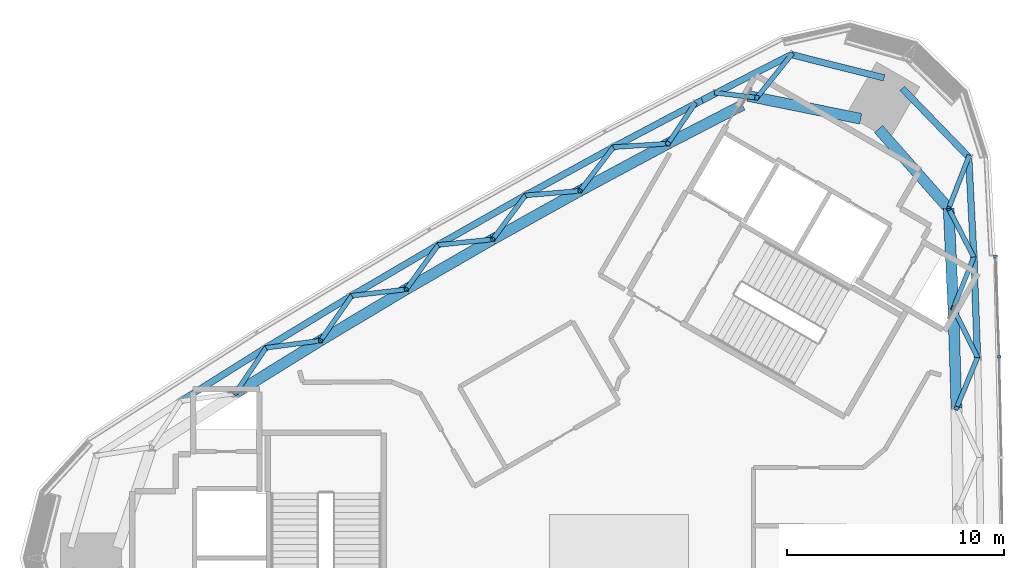
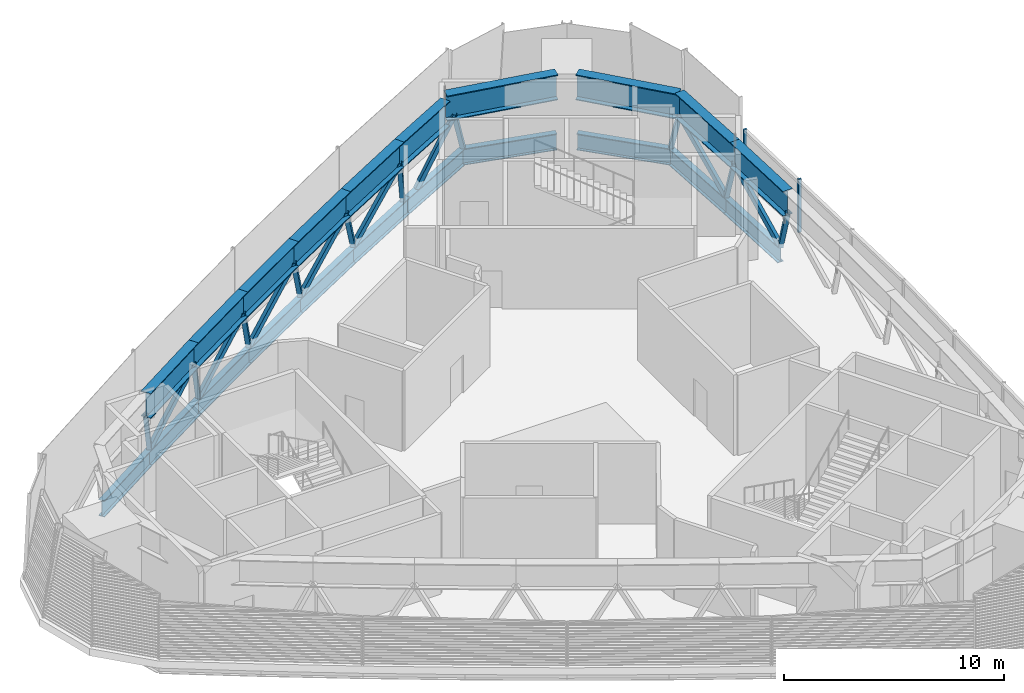
# One storey, part 3 of 18: 21 beams, 20 members, 1 element without a shape of its own.
"""IFC4 building model written with IfcOpenShell, lengths in metres."""

from ifc_helpers import new_model, si_unit, direction, frame, origin, origin_2d, place, context, subcontext, project, spatial, rectangle, hollow_rectangle, i_section, extrude, material, material_profile, profile_set, type_object, element, aggregate, save


model = new_model("IFC4")

# Units and contexts
model_context = context("Model", 3, precision=1e-05, world=origin(), true_north=direction((0.0, 1.0)))
body_context = subcontext(model_context, "Body", "Model", "MODEL_VIEW")
ifc_project = project(units=[si_unit("LENGTHUNIT", "METRE"), si_unit("AREAUNIT", "SQUARE_METRE"), si_unit("VOLUMEUNIT", "CUBIC_METRE"), si_unit("PLANEANGLEUNIT", "RADIAN"), si_unit("MASSUNIT", "GRAM", prefix="KILO")], contexts=[model_context])

# Site, building, storey
site_placement = place(None, origin())
site = spatial("IfcSite", under=ifc_project, at=site_placement, CompositionType="ELEMENT")
building_placement = place(site_placement, origin())
building = spatial("IfcBuilding", under=site, at=building_placement, Name="Tamra Quay Hotel Tower", CompositionType="ELEMENT")
storey_placement = place(building_placement, frame((0.0, 0.0, 257.39990234375)))
storey = spatial("IfcBuildingStorey", under=building, at=storey_placement, Name="L65", CompositionType="ELEMENT", Elevation=257.39990234375)

# Members
ifc_material_1 = material(Name="Structural steel IS 2062 E350", Category="steel")
ifc_material_profile_1 = material_profile(ifc_material_1, hollow_rectangle(XDim=0.219970703125, YDim=0.219970703125, WallThickness=0.010009765625, at=origin_2d()), Name="SHS 220x220x10")
ifc_profile_set_1 = profile_set([ifc_material_profile_1], Name="Structural steel IS 2062 E350")
member_type_1 = type_object("IfcMemberType", Name="BELT BRACE SHS 220x220x10 Z5", PredefinedType="BRACE", material=ifc_profile_set_1)
member_1_placement = place(storey_placement, frame((16.533203125, 9.24951171875, -0.39990234375), z_axis=(-0.22062481795, -0.531485075519, 0.817831464426), x_axis=(0.923586512352, -0.383390080991, 0.0)))
element("IfcMember", 1, at=member_1_placement, inside=storey, type_object=member_type_1, Name="BR-L65-009", PredefinedType="BRACE", context=body_context, shape_type="SweptSolid", body=[
    extrude(hollow_rectangle(XDim=0.219970703125, YDim=0.219970703125, WallThickness=0.010009765625, at=origin_2d()), origin(), (0.0, 0.0, 1.0), 4.402099609375),
])
member_2_placement = place(storey_placement, frame((16.533203125, 9.24951171875, -0.39990234375), z_axis=(-0.253557774074, 0.515221402104, 0.818691249508), x_axis=(-0.897232557129, -0.44155830694, 0.0)))
element("IfcMember", 2, at=member_2_placement, inside=storey, type_object=member_type_1, Name="BR-L65-010", PredefinedType="BRACE", context=body_context, shape_type="SweptSolid", body=[
    extrude(hollow_rectangle(XDim=0.219970703125, YDim=0.219970703125, WallThickness=0.010009765625, at=origin_2d()), origin(), (0.0, 0.0, 1.0), 4.3974609375),
])
member_3_placement = place(storey_placement, frame((16.36328125, 13.87158203125, -0.39990234375), z_axis=(-0.214529721213, -0.534911100271, 0.817219134335), x_axis=(0.928138087298, -0.372236068787, 0.0)))
element("IfcMember", 3, at=member_3_placement, inside=storey, type_object=member_type_1, Name="BR-L65-011", PredefinedType="BRACE", context=body_context, shape_type="SweptSolid", body=[
    extrude(hollow_rectangle(XDim=0.219970703125, YDim=0.219970703125, WallThickness=0.010009765625, at=origin_2d()), origin(), (0.0, 0.0, 1.0), 4.4052734375),
])
member_4_placement = place(storey_placement, frame((16.36328125, 13.87158203125, -0.39990234375), z_axis=(-0.263906411407, 0.510441065345, 0.818415129887), x_axis=(-0.88829917436, -0.459265257593, 0.0)))
element("IfcMember", 4, at=member_4_placement, inside=storey, type_object=member_type_1, Name="BR-L65-012", PredefinedType="BRACE", context=body_context, shape_type="SweptSolid", body=[
    extrude(hollow_rectangle(XDim=0.219970703125, YDim=0.219970703125, WallThickness=0.010009765625, at=origin_2d()), origin(), (0.0, 0.0, 1.0), 4.39892578125),
])
for number, where, z_axis, x_axis, name in (
    (5, (16.12548828125, 18.490966796875, -0.39990234375), (-0.209315007637, -0.538317676346, 0.816334065755), (0.93202265789, -0.362400007146, 0.0), "BR-L65-013"),
    (6, (7.950927734375, 23.210693359375, -0.39990234375), (-0.361547192842, -0.450453147781, 0.816318313528), (0.779867309755, -0.625944869118, 0.0), "BR-L65-014"),
):
    element("IfcMember", number, at=place(storey_placement, frame(where, z_axis=z_axis, x_axis=x_axis)), inside=storey, type_object=member_type_1, Name=name, PredefinedType="BRACE", context=body_context, shape_type="SweptSolid", body=[
        extrude(hollow_rectangle(XDim=0.219970703125, YDim=0.219970703125, WallThickness=0.010009765625, at=origin_2d()), origin(), (0.0, 0.0, 1.0), 4.41015625),
    ])
member_5_placement = place(storey_placement, frame((-0.25634765625, 18.943115234375, -0.39990234375), z_axis=(0.572966705961, 0.037975700279, 0.81869835718), x_axis=(-0.066133968493, 0.997810752704, 0.0)))
element("IfcMember", 7, at=member_5_placement, inside=storey, type_object=member_type_1, Name="BR-L65-015", PredefinedType="BRACE", context=body_context, shape_type="SweptSolid", body=[
    extrude(hollow_rectangle(XDim=0.219970703125, YDim=0.219970703125, WallThickness=0.010009765625, at=origin_2d()), origin(), (0.0, 0.0, 1.0), 4.3974609375),
])
member_6_placement = place(storey_placement, frame((-0.25634765625, 18.943115234375, -0.39990234375), z_axis=(-0.349957259333, -0.456830102239, 0.817824048514), x_axis=(0.793840529378, -0.608125985234, 0.0)))
element("IfcMember", 8, at=member_6_placement, inside=storey, type_object=member_type_1, Name="BR-L65-016", PredefinedType="BRACE", context=body_context, shape_type="SweptSolid", body=[
    extrude(hollow_rectangle(XDim=0.219970703125, YDim=0.219970703125, WallThickness=0.010009765625, at=origin_2d()), origin(), (0.0, 0.0, 1.0), 4.402099609375),
])
member_7_placement = place(storey_placement, frame((-4.312255859375, 16.718994140625, -0.39990234375), z_axis=(0.57207252315, 0.048473193508, 0.818769428941), x_axis=(-0.084430056621, 0.996429408207, 0.0)))
element("IfcMember", 9, at=member_7_placement, inside=storey, type_object=member_type_1, Name="BR-L65-017", PredefinedType="BRACE", context=body_context, shape_type="SweptSolid", body=[
    extrude(hollow_rectangle(XDim=0.219970703125, YDim=0.219970703125, WallThickness=0.010009765625, at=origin_2d()), origin(), (0.0, 0.0, 1.0), 4.39697265625),
])
member_8_placement = place(storey_placement, frame((-4.312255859375, 16.718994140625, -0.39990234375), z_axis=(-0.343255450706, -0.460911320632, 0.818374272612), x_axis=(0.802023424463, -0.59729258041, 0.0)))
element("IfcMember", 10, at=member_8_placement, inside=storey, type_object=member_type_1, Name="BR-L65-018", PredefinedType="BRACE", context=body_context, shape_type="SweptSolid", body=[
    extrude(hollow_rectangle(XDim=0.219970703125, YDim=0.219970703125, WallThickness=0.010009765625, at=origin_2d()), origin(), (0.0, 0.0, 1.0), 4.399169921875),
])
member_9_placement = place(storey_placement, frame((-8.334716796875, 14.43603515625, -0.39990234375), z_axis=(0.571331493672, 0.058071396597, 0.818662346292), x_axis=(-0.101121205208, 0.994874113573, 0.0)))
element("IfcMember", 11, at=member_9_placement, inside=storey, type_object=member_type_1, Name="BR-L65-019", PredefinedType="BRACE", context=body_context, shape_type="SweptSolid", body=[
    extrude(hollow_rectangle(XDim=0.219970703125, YDim=0.219970703125, WallThickness=0.010009765625, at=origin_2d()), origin(), (0.0, 0.0, 1.0), 4.3974609375),
])
member_10_placement = place(storey_placement, frame((-8.334716796875, 14.43603515625, -0.39990234375), z_axis=(-0.335932830452, -0.465786886051, 0.818652374459), x_axis=(0.811066517713, -0.584953933097, 0.0)))
element("IfcMember", 12, at=member_10_placement, inside=storey, type_object=member_type_1, Name="BR-L65-020", PredefinedType="BRACE", context=body_context, shape_type="SweptSolid", body=[
    extrude(hollow_rectangle(XDim=0.219970703125, YDim=0.219970703125, WallThickness=0.010009765625, at=origin_2d()), origin(), (0.0, 0.0, 1.0), 4.397705078125),
])
member_11_placement = place(storey_placement, frame((-12.322998046875, 12.093994140625, -0.39990234375), z_axis=(0.570796422522, 0.066764034642, 0.818372780409), x_axis=(-0.116174455489, 0.99322882353, 0.0)))
element("IfcMember", 13, at=member_11_placement, inside=storey, type_object=member_type_1, Name="BR-L65-021", PredefinedType="BRACE", context=body_context, shape_type="SweptSolid", body=[
    extrude(hollow_rectangle(XDim=0.219970703125, YDim=0.219970703125, WallThickness=0.010009765625, at=origin_2d()), origin(), (0.0, 0.0, 1.0), 4.399169921875),
])
member_12_placement = place(storey_placement, frame((-12.322998046875, 12.093994140625, -0.39990234375), z_axis=(-0.328039433688, -0.471181894766, 0.818765993426), x_axis=(0.820692256642, -0.571370475164, 0.0)))
element("IfcMember", 14, at=member_12_placement, inside=storey, type_object=member_type_1, Name="BR-L65-022", PredefinedType="BRACE", context=body_context, shape_type="SweptSolid", body=[
    extrude(hollow_rectangle(XDim=0.219970703125, YDim=0.219970703125, WallThickness=0.010009765625, at=origin_2d()), origin(), (0.0, 0.0, 1.0), 4.39697265625),
])
member_13_placement = place(storey_placement, frame((-16.277099609375, 9.693359375, -0.39990234375), z_axis=(0.570586145744, 0.074706409245, 0.817832747389), x_axis=(-0.129821238193, 0.991537415388, 0.0)))
element("IfcMember", 15, at=member_13_placement, inside=storey, type_object=member_type_1, Name="BR-L65-023", PredefinedType="BRACE", context=body_context, shape_type="SweptSolid", body=[
    extrude(hollow_rectangle(XDim=0.219970703125, YDim=0.219970703125, WallThickness=0.010009765625, at=origin_2d()), origin(), (0.0, 0.0, 1.0), 4.402099609375),
])
member_14_placement = place(storey_placement, frame((-16.277099609375, 9.693359375, -0.39990234375), z_axis=(-0.319356490447, -0.477202544401, 0.818711892931), x_axis=(0.831067195987, -0.556172019932, 0.0)))
element("IfcMember", 16, at=member_14_placement, inside=storey, type_object=member_type_1, Name="BR-L65-024", PredefinedType="BRACE", context=body_context, shape_type="SweptSolid", body=[
    extrude(hollow_rectangle(XDim=0.219970703125, YDim=0.219970703125, WallThickness=0.010009765625, at=origin_2d()), origin(), (0.0, 0.0, 1.0), 4.397216796875),
])
member_15_placement = place(storey_placement, frame((4.49951171875, 21.447998046875, -0.39990234375), z_axis=(0.457714111649, -0.055183255375, 0.887385260371), x_axis=(0.119695939742, 0.992810597249, 0.0)))
element("IfcMember", 17, at=member_15_placement, inside=storey, type_object=member_type_1, Name="BR-L65-044", PredefinedType="BRACE", context=body_context, shape_type="SweptSolid", body=[
    extrude(hollow_rectangle(XDim=0.219970703125, YDim=0.219970703125, WallThickness=0.010009765625, at=origin_2d()), origin(), (0.0, 0.0, 1.0), 4.056884765625),
])
member_16_placement = place(storey_placement, frame((3.47802734375, 20.919921875, -0.39990234375), z_axis=(-0.288660198582, -0.430031762879, 0.855422686553), x_axis=(0.830288510218, -0.557333822588, 0.0)))
element("IfcMember", 18, at=member_16_placement, inside=storey, type_object=member_type_1, Name="BR-L65-045", PredefinedType="BRACE", context=body_context, shape_type="SweptSolid", body=[
    extrude(hollow_rectangle(XDim=0.219970703125, YDim=0.219970703125, WallThickness=0.010009765625, at=origin_2d()), origin(), (0.0, 0.0, 1.0), 4.20849609375),
])

# Beams
ifc_material_profile_2 = material_profile(ifc_material_1, i_section(OverallWidth=0.302001953125, OverallDepth=0.909912109375, WebThickness=0.027099609375, FlangeThickness=0.0400390625, at=origin_2d()), Name="WPB 900x300x333")
ifc_profile_set_2 = profile_set([ifc_material_profile_2], Name="Structural steel IS 2062 E350")
beam_type_1 = type_object("IfcBeamType", Name="BELT CHORD WPB 900x300x333 Z5", PredefinedType="BEAM", material=ifc_profile_set_2)
beam_1_placement = place(storey_placement, frame((16.533203125, 9.24951171875, -0.85498046875), z_axis=(-0.036738334249, 0.999324919532, 0.0), x_axis=(-0.999324919532, -0.036738334249, 0.0)))
element("IfcBeam", 19, at=beam_1_placement, inside=storey, type_object=beam_type_1, Name="BM-CHB-L65-006", PredefinedType="BEAM", context=body_context, shape_type="SweptSolid", body=[
    extrude(i_section(OverallWidth=0.302001953125, OverallDepth=0.909912109375, WebThickness=0.027099609375, FlangeThickness=0.0400390625, at=origin_2d()), origin(), (0.0, 0.0, 1.0), 4.625244140625),
])
beam_2_placement = place(storey_placement, frame((16.36328125, 13.87158203125, -0.85498046875), z_axis=(-0.051409125155, 0.998677676656, 0.0), x_axis=(-0.998677676656, -0.051409125155, 0.0)))
element("IfcBeam", 20, at=beam_2_placement, inside=storey, type_object=beam_type_1, Name="BM-CHB-L65-007", PredefinedType="BEAM", context=body_context, shape_type="SweptSolid", body=[
    extrude(i_section(OverallWidth=0.302001953125, OverallDepth=0.909912109375, WebThickness=0.027099609375, FlangeThickness=0.0400390625, at=origin_2d()), origin(), (0.0, 0.0, 1.0), 4.62548828125),
])
beam_3_placement = place(storey_placement, frame((16.12548828125, 18.490966796875, -0.85498046875), z_axis=(-0.6959416476, 0.718098338068, 0.0), x_axis=(-0.718098338068, -0.6959416476, 0.0)))
element("IfcBeam", 21, at=beam_3_placement, inside=storey, type_object=beam_type_1, Name="BM-CHB-L65-008", PredefinedType="BEAM", context=body_context, shape_type="SweptSolid", body=[
    extrude(i_section(OverallWidth=0.302001953125, OverallDepth=0.909912109375, WebThickness=0.027099609375, FlangeThickness=0.0400390625, at=origin_2d()), origin(), (0.0, 0.0, 1.0), 4.407470703125),
])
beam_4_placement = place(storey_placement, frame((12.225830078125, 22.136474609375, -0.85498046875), z_axis=(-0.969848559092, 0.243708375785, 0.0), x_axis=(-0.243708375785, -0.969848559092, 0.0)))
element("IfcBeam", 22, at=beam_4_placement, inside=storey, type_object=beam_type_1, Name="BM-CHB-L65-009", PredefinedType="BEAM", context=body_context, shape_type="SweptSolid", body=[
    extrude(i_section(OverallWidth=0.302001953125, OverallDepth=0.909912109375, WebThickness=0.027099609375, FlangeThickness=0.0400390625, at=origin_2d()), origin(), (0.0, 0.0, 1.0), 4.40771484375),
])
beam_5_placement = place(storey_placement, frame((7.950927734375, 23.210693359375, -0.85498046875), z_axis=(-0.890583885956, -0.454819021234, 0.0), x_axis=(0.454819021234, -0.890583885956, 0.0)))
element("IfcBeam", 23, at=beam_5_placement, inside=storey, type_object=beam_type_1, Name="BM-CHB-L65-010", PredefinedType="BEAM", context=body_context, shape_type="SweptSolid", body=[
    extrude(i_section(OverallWidth=0.302001953125, OverallDepth=0.909912109375, WebThickness=0.027099609375, FlangeThickness=0.0400390625, at=origin_2d()), origin(), (0.0, 0.0, 1.0), 4.62548828125),
])
beam_6_placement = place(storey_placement, frame((3.83154296875, 21.10693359375, -0.85498046875), z_axis=(-0.883820012817, -0.467827088724, 0.0), x_axis=(0.467827088724, -0.883820012817, 0.0)))
element("IfcBeam", 24, at=beam_6_placement, inside=storey, type_object=beam_type_1, Name="BM-CHB-L65-011", PredefinedType="BEAM", context=body_context, shape_type="SweptSolid", body=[
    extrude(i_section(OverallWidth=0.302001953125, OverallDepth=0.909912109375, WebThickness=0.027099609375, FlangeThickness=0.0400390625, at=origin_2d()), origin(), (0.0, 0.0, 1.0), 4.625244140625),
])
beam_7_placement = place(storey_placement, frame((-0.25634765625, 18.943115234375, -0.85498046875), z_axis=(-0.876820304317, -0.480818212985, 0.0), x_axis=(0.480818212985, -0.876820304317, 0.0)))
element("IfcBeam", 25, at=beam_7_placement, inside=storey, type_object=beam_type_1, Name="BM-CHB-L65-012", PredefinedType="BEAM", context=body_context, shape_type="SweptSolid", body=[
    extrude(i_section(OverallWidth=0.302001953125, OverallDepth=0.909912109375, WebThickness=0.027099609375, FlangeThickness=0.0400390625, at=origin_2d()), origin(), (0.0, 0.0, 1.0), 4.625732421875),
])
beam_8_placement = place(storey_placement, frame((-4.312255859375, 16.718994140625, -0.85498046875), z_axis=(-0.869691427022, -0.49359580809, 0.0), x_axis=(0.49359580809, -0.869691427022, 0.0)))
element("IfcBeam", 26, at=beam_8_placement, inside=storey, type_object=beam_type_1, Name="BM-CHB-L65-013", PredefinedType="BEAM", context=body_context, shape_type="SweptSolid", body=[
    extrude(i_section(OverallWidth=0.302001953125, OverallDepth=0.909912109375, WebThickness=0.027099609375, FlangeThickness=0.0400390625, at=origin_2d()), origin(), (0.0, 0.0, 1.0), 4.625244140625),
])
beam_9_placement = place(storey_placement, frame((-8.334716796875, 14.43603515625, -0.85498046875), z_axis=(-0.862312568749, -0.506376375612, 0.0), x_axis=(0.506376375612, -0.862312568749, 0.0)))
element("IfcBeam", 27, at=beam_9_placement, inside=storey, type_object=beam_type_1, Name="BM-CHB-L65-014", PredefinedType="BEAM", context=body_context, shape_type="SweptSolid", body=[
    extrude(i_section(OverallWidth=0.302001953125, OverallDepth=0.909912109375, WebThickness=0.027099609375, FlangeThickness=0.0400390625, at=origin_2d()), origin(), (0.0, 0.0, 1.0), 4.625),
])
beam_10_placement = place(storey_placement, frame((-12.322998046875, 12.093994140625, -0.85498046875), z_axis=(-0.85479420464, -0.518967116216, 0.0), x_axis=(0.518967116216, -0.85479420464, 0.0)))
element("IfcBeam", 28, at=beam_10_placement, inside=storey, type_object=beam_type_1, Name="BM-CHB-L65-015", PredefinedType="BEAM", context=body_context, shape_type="SweptSolid", body=[
    extrude(i_section(OverallWidth=0.302001953125, OverallDepth=0.909912109375, WebThickness=0.027099609375, FlangeThickness=0.0400390625, at=origin_2d()), origin(), (0.0, 0.0, 1.0), 4.625732421875),
])
beam_11_placement = place(storey_placement, frame((-16.277099609375, 9.693359375, -0.85498046875), z_axis=(-0.847056904841, -0.531502210684, 0.0), x_axis=(0.531502210684, -0.847056904841, 0.0)))
element("IfcBeam", 29, at=beam_11_placement, inside=storey, type_object=beam_type_1, Name="BM-CHB-L65-016", PredefinedType="BEAM", context=body_context, shape_type="SweptSolid", body=[
    extrude(i_section(OverallWidth=0.302001953125, OverallDepth=0.909912109375, WebThickness=0.027099609375, FlangeThickness=0.0400390625, at=origin_2d()), origin(), (0.0, 0.0, 1.0), 4.625),
])
ifc_material_profile_3 = material_profile(ifc_material_1, i_section(OverallWidth=0.5, OverallDepth=1.39990234375, WebThickness=0.02490234375, FlangeThickness=0.050048828125, at=origin_2d()), Name="WPG 1400x500x25x50")
ifc_profile_set_3 = profile_set([ifc_material_profile_3], Name="Structural steel IS 2062 E350")
beam_type_2 = type_object("IfcBeamType", Name="BELT TOP CHORD WPG 1400x500x25x50 Z5", PredefinedType="USERDEFINED", material=ifc_profile_set_3)
beam_12_placement = place(storey_placement, frame((15.56201171875, 6.909912109375, 3.75), z_axis=(-0.03118981093, 0.999513479496, 0.0), x_axis=(-0.999513479496, -0.03118981093, 0.0)))
element("IfcBeam", 30, at=beam_12_placement, inside=storey, type_object=beam_type_2, Name="BM-CHT-L65-005", ObjectType="TRANSFER GIRDER", PredefinedType="USERDEFINED", context=body_context, shape_type="SweptSolid", body=[
    extrude(i_section(OverallWidth=0.5, OverallDepth=1.39990234375, WebThickness=0.02490234375, FlangeThickness=0.050048828125, at=origin_2d()), origin(), (0.0, 0.0, 1.0), 4.5791015625),
])
beam_13_placement = place(storey_placement, frame((15.41943359375, 11.4873046875, 3.75), z_axis=(-0.046829335149, 0.998902904876, 0.0), x_axis=(-0.998902904876, -0.046829335149, 0.0)))
element("IfcBeam", 31, at=beam_13_placement, inside=storey, type_object=beam_type_2, Name="BM-CHT-L65-006", ObjectType="TRANSFER GIRDER", PredefinedType="USERDEFINED", context=body_context, shape_type="SweptSolid", body=[
    extrude(i_section(OverallWidth=0.5, OverallDepth=1.39990234375, WebThickness=0.02490234375, FlangeThickness=0.050048828125, at=origin_2d()), origin(), (0.0, 0.0, 1.0), 4.634765625),
])
beam_14_placement = place(storey_placement, frame((15.202392578125, 16.116943359375, 3.75), z_axis=(-0.661864444241, 0.74962354382, 0.0), x_axis=(-0.74962354382, -0.661864444241, 0.0)))
element("IfcBeam", 32, at=beam_14_placement, inside=storey, type_object=beam_type_2, Name="BM-CHT-L65-007", ObjectType="TRANSFER GIRDER", PredefinedType="USERDEFINED", context=body_context, shape_type="SweptSolid", body=[
    extrude(i_section(OverallWidth=0.5, OverallDepth=1.39990234375, WebThickness=0.02490234375, FlangeThickness=0.050048828125, at=origin_2d()), origin(), (0.0, 0.0, 1.0), 4.887939453125),
])
beam_15_placement = place(storey_placement, frame((11.146728515625, 20.25439453125, 3.75), z_axis=(-0.980111244017, 0.198448858279, 0.0), x_axis=(-0.198448858279, -0.980111244017, 0.0)))
element("IfcBeam", 33, at=beam_15_placement, inside=storey, type_object=beam_type_2, Name="BM-CHT-L65-008", ObjectType="TRANSFER GIRDER", PredefinedType="USERDEFINED", context=body_context, shape_type="SweptSolid", body=[
    extrude(i_section(OverallWidth=0.5, OverallDepth=1.39990234375, WebThickness=0.02490234375, FlangeThickness=0.050048828125, at=origin_2d()), origin(), (0.0, 0.0, 1.0), 5.312255859375),
])
beam_16_placement = place(storey_placement, frame((5.69384765625, 20.882080078125, 3.75), z_axis=(-0.888482626621, -0.458910255054, 0.0), x_axis=(0.458910255054, -0.888482626621, 0.0)))
element("IfcBeam", 34, at=beam_16_placement, inside=storey, type_object=beam_type_2, Name="BM-CHT-L65-009", ObjectType="TRANSFER GIRDER", PredefinedType="USERDEFINED", context=body_context, shape_type="SweptSolid", body=[
    extrude(i_section(OverallWidth=0.5, OverallDepth=1.39990234375, WebThickness=0.02490234375, FlangeThickness=0.050048828125, at=origin_2d()), origin(), (0.0, 0.0, 1.0), 3.861328125),
])
beam_17_placement = place(storey_placement, frame((2.26318359375, 19.110107421875, 3.75), z_axis=(-0.881213570035, -0.47271835588, 0.0), x_axis=(0.47271835588, -0.881213570035, 0.0)))
element("IfcBeam", 35, at=beam_17_placement, inside=storey, type_object=beam_type_2, Name="BM-CHT-L65-010", ObjectType="TRANSFER GIRDER", PredefinedType="USERDEFINED", context=body_context, shape_type="SweptSolid", body=[
    extrude(i_section(OverallWidth=0.5, OverallDepth=1.39990234375, WebThickness=0.02490234375, FlangeThickness=0.050048828125, at=origin_2d()), origin(), (0.0, 0.0, 1.0), 4.607421875),
])
beam_18_placement = place(storey_placement, frame((-1.796875, 16.93212890625, 3.75), z_axis=(-0.873752024122, -0.486371668935, 0.0), x_axis=(0.486371668935, -0.873752024122, 0.0)))
element("IfcBeam", 36, at=beam_18_placement, inside=storey, type_object=beam_type_2, Name="BM-CHT-L65-011", ObjectType="TRANSFER GIRDER", PredefinedType="USERDEFINED", context=body_context, shape_type="SweptSolid", body=[
    extrude(i_section(OverallWidth=0.5, OverallDepth=1.39990234375, WebThickness=0.02490234375, FlangeThickness=0.050048828125, at=origin_2d()), origin(), (0.0, 0.0, 1.0), 4.60693359375),
])
beam_19_placement = place(storey_placement, frame((-5.822265625, 14.69140625, 3.75), z_axis=(-0.866003789707, -0.500037434811, 0.0), x_axis=(0.500037434811, -0.866003789707, 0.0)))
element("IfcBeam", 37, at=beam_19_placement, inside=storey, type_object=beam_type_2, Name="BM-CHT-L65-012", ObjectType="TRANSFER GIRDER", PredefinedType="USERDEFINED", context=body_context, shape_type="SweptSolid", body=[
    extrude(i_section(OverallWidth=0.5, OverallDepth=1.39990234375, WebThickness=0.02490234375, FlangeThickness=0.050048828125, at=origin_2d()), origin(), (0.0, 0.0, 1.0), 4.607177734375),
])
beam_20_placement = place(storey_placement, frame((-9.81201171875, 12.3876953125, 3.75), z_axis=(-0.858118856474, -0.513451096176, 0.0), x_axis=(0.513451096176, -0.858118856474, 0.0)))
element("IfcBeam", 38, at=beam_20_placement, inside=storey, type_object=beam_type_2, Name="BM-CHT-L65-013", ObjectType="TRANSFER GIRDER", PredefinedType="USERDEFINED", context=body_context, shape_type="SweptSolid", body=[
    extrude(i_section(OverallWidth=0.5, OverallDepth=1.39990234375, WebThickness=0.02490234375, FlangeThickness=0.050048828125, at=origin_2d()), origin(), (0.0, 0.0, 1.0), 4.60693359375),
])
beam_21_placement = place(storey_placement, frame((-13.765380859375, 10.022216796875, 3.75), z_axis=(-0.849984349439, -0.526807940058, 0.0), x_axis=(0.526807940058, -0.849984349439, 0.0)))
element("IfcBeam", 39, at=beam_21_placement, inside=storey, type_object=beam_type_2, Name="BM-CHT-L65-014", ObjectType="TRANSFER GIRDER", PredefinedType="USERDEFINED", context=body_context, shape_type="SweptSolid", body=[
    extrude(i_section(OverallWidth=0.5, OverallDepth=1.39990234375, WebThickness=0.02490234375, FlangeThickness=0.050048828125, at=origin_2d()), origin(), (0.0, 0.0, 1.0), 4.57861328125),
])

# Curtain wall, members
ifc_material_2 = material(Name="Aluminium 6063 anodised dark grey", Category="aluminium")
curtain_wall_type = type_object("IfcCurtainWallType", Name="CW1 CURTAIN WALL", PredefinedType="NOTDEFINED", material=ifc_material_2)
curtain_wall_placement = place(storey_placement, origin())
curtain_wall = element("IfcCurtainWall", 40, at=curtain_wall_placement, inside=storey, type_object=curtain_wall_type, Name="CW1 east face L65", PredefinedType="NOTDEFINED")
ifc_material_profile_4 = material_profile(ifc_material_2, rectangle(XDim=0.169921875, YDim=0.10009765625, at=origin_2d()), Name="MULLION 100X170")
ifc_profile_set_4 = profile_set([ifc_material_profile_4], Name="Aluminium 6063 anodised dark grey")
member_type_2 = type_object("IfcMemberType", Name="MULLION CW1 Z5", PredefinedType="MULLION", material=ifc_profile_set_4)
member_17_placement = place(storey_placement, frame((17.532958984375, 9.278564453125, 0.0), z_axis=(0.0, 0.0, 1.0), x_axis=(0.999567583754, 0.029404855176, 0.0)))
member_17 = element("IfcMember", 41, at=member_17_placement, type_object=member_type_2, Name="CW1 mullion L65.E.6", PredefinedType="MULLION", context=body_context, shape_type="SweptSolid", body=[
    extrude(rectangle(XDim=0.169921875, YDim=0.10009765625, at=origin_2d()), origin(), (0.0, 0.0, 1.0), 2.9501953125),
])
member_18_placement = place(storey_placement, frame((17.3623046875, 13.91552734375, 0.0), z_axis=(0.0, 0.0, 1.0), x_axis=(0.999028197603, 0.044075621315, 0.0)))
member_18 = element("IfcMember", 42, at=member_18_placement, type_object=member_type_2, Name="CW1 mullion L65.E.7", PredefinedType="MULLION", context=body_context, shape_type="SweptSolid", body=[
    extrude(rectangle(XDim=0.169921875, YDim=0.10009765625, at=origin_2d()), origin(), (0.0, 0.0, 1.0), 2.9501953125),
])
aggregate(curtain_wall, [member_17, member_18])

save(model, "model.ifc")
